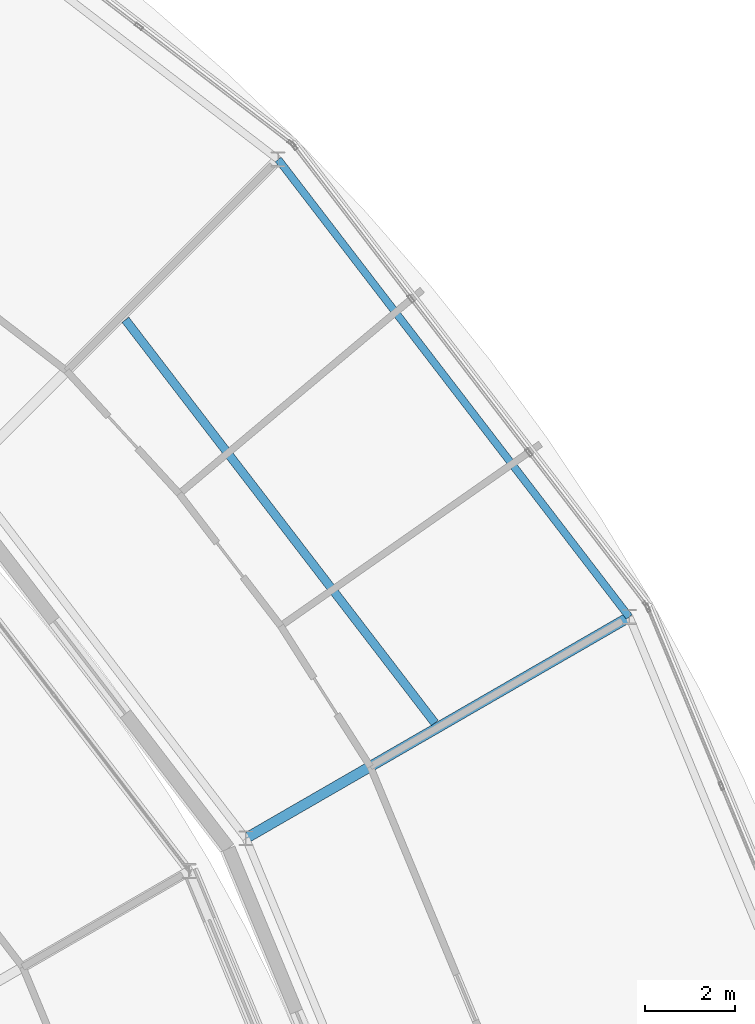
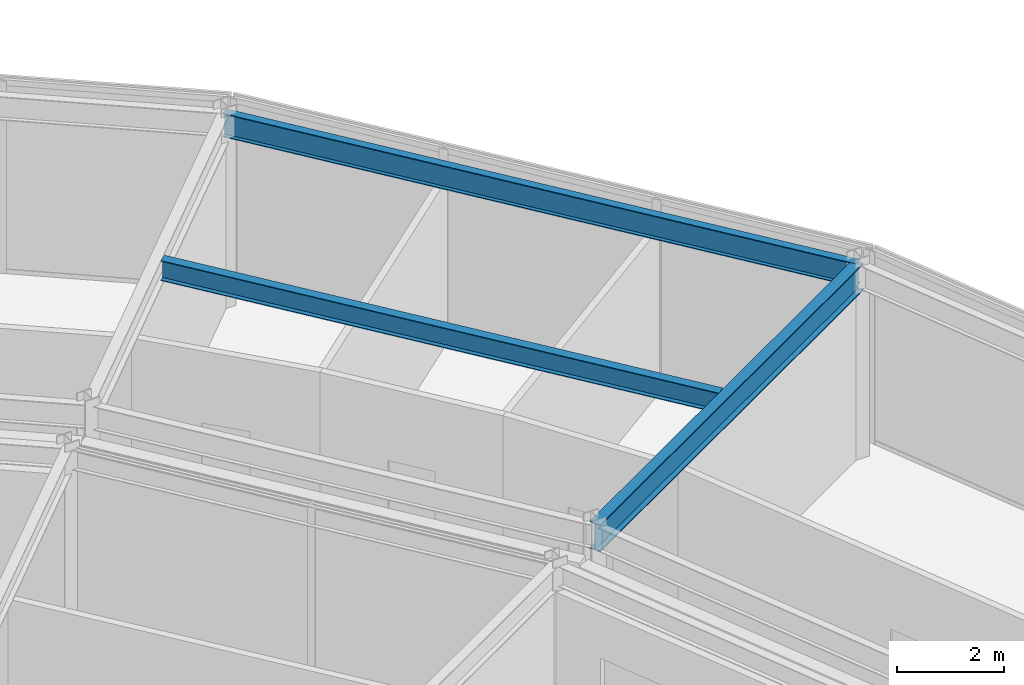
# One storey, part 70 of 133: 3 beams.
"""IFC4 building model written with IfcOpenShell, lengths in metres."""

from ifc_helpers import new_model, si_unit, direction, frame, origin, origin_2d, place, context, subcontext, project, spatial, i_section, extrude, material, material_profile, profile_set, type_object, element, save


model = new_model("IFC4")

# Units and contexts
model_context = context("Model", 3, precision=1e-05, world=origin(), true_north=direction((0.0, 1.0)))
body_context = subcontext(model_context, "Body", "Model", "MODEL_VIEW")
ifc_project = project(units=[si_unit("LENGTHUNIT", "METRE"), si_unit("AREAUNIT", "SQUARE_METRE"), si_unit("VOLUMEUNIT", "CUBIC_METRE"), si_unit("PLANEANGLEUNIT", "RADIAN"), si_unit("MASSUNIT", "GRAM", prefix="KILO")], contexts=[model_context])

# Site, building, storey
site_placement = place(None, origin())
site = spatial("IfcSite", under=ifc_project, at=site_placement, CompositionType="ELEMENT")
building_placement = place(site_placement, origin())
building = spatial("IfcBuilding", under=site, at=building_placement, Name="Almandine Court Research Institute", CompositionType="ELEMENT")
storey_placement = place(building_placement, frame((0.0, 0.0, 9.800048828125)))
storey = spatial("IfcBuildingStorey", under=building, at=storey_placement, Name="L02", CompositionType="ELEMENT", Elevation=9.800048828125)

# Beams
ifc_material = material(Name="Steel ASTM A992 Grade 50", Category="steel")
ifc_material_profile_1 = material_profile(ifc_material, i_section(OverallWidth=0.18994140625, OverallDepth=0.45703125, WebThickness=0.009033203125, FlangeThickness=0.014892578125, at=origin_2d()), Name="W460x74")
ifc_profile_set_1 = profile_set([ifc_material_profile_1], Name="Steel ASTM A992 Grade 50")
beam_type_1 = type_object("IfcBeamType", Name="Beam-B-01", PredefinedType="BEAM", material=ifc_profile_set_1)
beam_1_placement = place(storey_placement, frame((125.044921875, 78.10400390625, 4.140869140625), z_axis=(-0.608773677202, 0.793343941772, 0.0), x_axis=(-0.793343941772, -0.608773677202, 0.0)))
element("IfcBeam", 1, at=beam_1_placement, inside=storey, type_object=beam_type_1, Name="L02 Drum MID Ring Beam 02", PredefinedType="BEAM", context=body_context, shape_type="SweptSolid", body=[
    extrude(i_section(OverallWidth=0.18994140625, OverallDepth=0.45703125, WebThickness=0.009033203125, FlangeThickness=0.014892578125, at=origin_2d()), origin(), (0.0, 0.0, 1.0), 11.248779296875),
])
ifc_material_profile_2 = material_profile(ifc_material, i_section(OverallWidth=0.22998046875, OverallDepth=0.616943359375, WebThickness=0.012939453125, FlangeThickness=0.02197265625, at=origin_2d()), Name="W610x140")
ifc_profile_set_2 = profile_set([ifc_material_profile_2], Name="Steel ASTM A992 Grade 50")
beam_type_2 = type_object("IfcBeamType", Name="Beam-G-02", PredefinedType="BEAM", material=ifc_profile_set_2)
beam_2_placement = place(storey_placement, frame((120.862060546875, 75.550048828125, 4.06103515625), z_axis=(0.866030014362, 0.49999201416, 0.0), x_axis=(-0.49999201416, 0.866030014362, 0.0)))
element("IfcBeam", 2, at=beam_2_placement, inside=storey, type_object=beam_type_2, Name="L02 Drum Radial Girder 02", PredefinedType="BEAM", context=body_context, shape_type="SweptSolid", body=[
    extrude(i_section(OverallWidth=0.22998046875, OverallDepth=0.616943359375, WebThickness=0.012939453125, FlangeThickness=0.02197265625, at=origin_2d()), origin(), (0.0, 0.0, 1.0), 9.800048828125),
])
ifc_material_profile_3 = material_profile(ifc_material, i_section(OverallWidth=0.166015625, OverallDepth=0.534912109375, WebThickness=0.010009765625, FlangeThickness=0.01708984375, at=origin_2d()), Name="W530x85")
ifc_profile_set_3 = profile_set([ifc_material_profile_3], Name="Steel ASTM A992 Grade 50")
beam_type_3 = type_object("IfcBeamType", Name="Beam-G-05-E", PredefinedType="SPANDREL", material=ifc_profile_set_3)
beam_3_placement = place(storey_placement, frame((129.34912109375, 80.449951171875, 4.10205078125), z_axis=(-0.608751886289, 0.793360662587, 0.0), x_axis=(-0.793360662587, -0.608751886289, 0.0)))
element("IfcBeam", 3, at=beam_3_placement, inside=storey, type_object=beam_type_3, Name="L02 Drum OUT Ring Beam 02", PredefinedType="SPANDREL", context=body_context, shape_type="SweptSolid", body=[
    extrude(i_section(OverallWidth=0.166015625, OverallDepth=0.534912109375, WebThickness=0.010009765625, FlangeThickness=0.01708984375, at=origin_2d()), origin(), (0.0, 0.0, 1.0), 12.765869140625),
])

save(model, "model.ifc")
